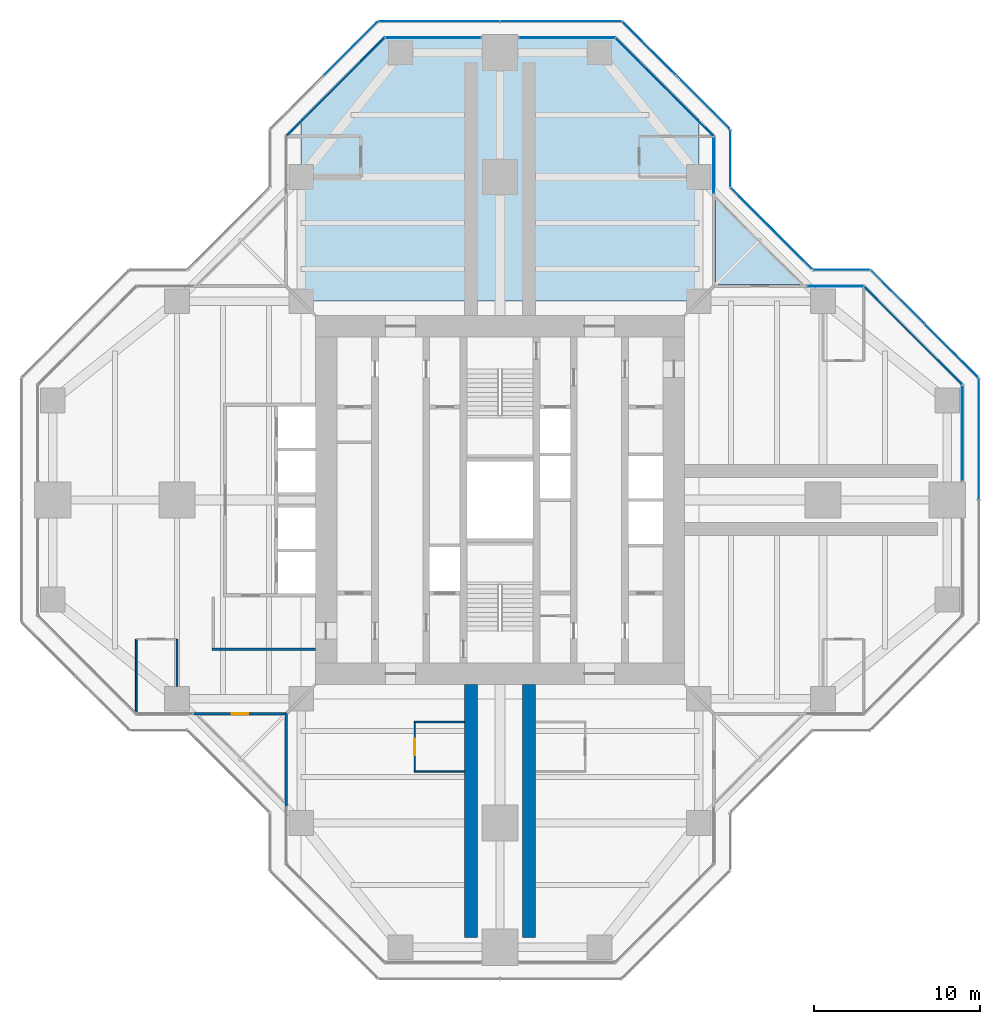
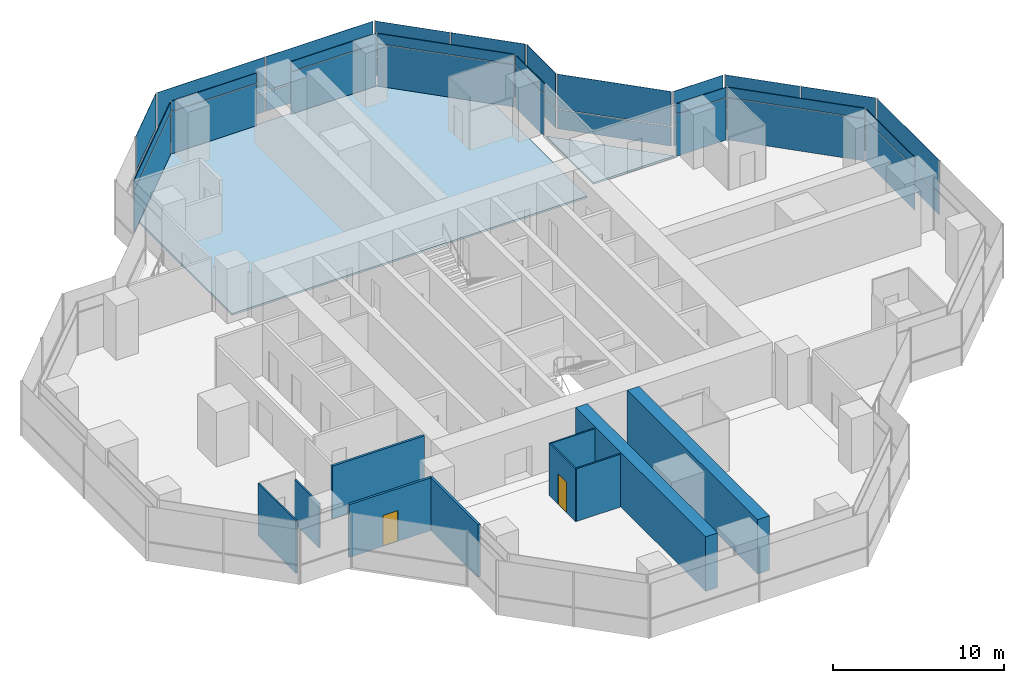
# One storey, part 12 of 17: 38 plates, 10 walls, 2 doors, 2 slabs, 2 openings, 16 elements without a shape of their own.
"""IFC4 building model written with IfcOpenShell, lengths in metres."""

import ifcopenshell
import ifcopenshell.guid

model = None  # the IFC model being written
_history = None  # IfcOwnerHistory: only IFC2X3 demands one
_inside = {}  # id of a spatial element -> (the spatial element, [elements in it])
_under = {}  # id of a project, library or spatial element -> (it, [spatial elements below it])
_declared = {}  # id of a project -> (the project, [libraries it declares])
_typed = {}  # id of a type object -> (the type object, [elements of that type])
_made_of = {}  # id of a material, layer set ... -> (it, [elements and type objects made of it])


def new_model(schema):
    """Start an empty IFC model of exactly this schema.

    Asked for "IFC4X3", IfcOpenShell would pick the latest addendum, in which some entities
    have other attributes; the version numbers below select the first issue.
    IFC2X3 requires an IfcOwnerHistory on every rooted entity: one is made here for all.
    """
    global model, _history
    if schema == "IFC4X3":
        model = ifcopenshell.file(schema_version=(4, 3, 0, 0))
    else:
        model = ifcopenshell.file(schema=schema)
    _inside.clear()
    _under.clear()
    _declared.clear()
    _typed.clear()
    _made_of.clear()
    _history = None
    if model.schema == "IFC2X3":
        org = make("IfcOrganization", Name="unknown")
        user = make(
            "IfcPersonAndOrganization",
            ThePerson=make("IfcPerson", FamilyName="unknown"),
            TheOrganization=org,
        )
        app = make(
            "IfcApplication",
            ApplicationDeveloper=org,
            Version="unknown",
            ApplicationFullName="unknown",
            ApplicationIdentifier="unknown",
        )
        _history = make(
            "IfcOwnerHistory",
            OwningUser=user,
            OwningApplication=app,
            ChangeAction="ADDED",
            CreationDate=0,
        )
    return model


def make(cls, **values):
    """One entity of the class cls with the attributes given. An attribute that is None is left unset."""
    return model.create_entity(
        cls, **{name: value for name, value in values.items() if value is not None}
    )


def rooted(cls, **values):
    """An entity with a GlobalId (a new one), such as an element, a storey or a relation."""
    return make(cls, GlobalId=ifcopenshell.guid.new(), OwnerHistory=_history, **values)


def si_unit(unit_type, name, prefix=None):
    """IfcSIUnit, for example si_unit("LENGTHUNIT", "METRE", prefix="MILLI")."""
    return make("IfcSIUnit", UnitType=unit_type, Prefix=prefix, Name=name)


def assignment(units):
    """IfcUnitAssignment: the units of a project."""
    return None if units is None else make("IfcUnitAssignment", Units=units)


def point(xyz):
    """IfcCartesianPoint."""
    return None if xyz is None else make("IfcCartesianPoint", Coordinates=xyz)


def direction(xyz):
    """IfcDirection."""
    return None if xyz is None else make("IfcDirection", DirectionRatios=xyz)


def frame(location, z_axis=None, x_axis=None):
    """IfcAxis2Placement3D, a coordinate frame: its origin and axes. An axis left out is left unset."""
    return make(
        "IfcAxis2Placement3D",
        Location=point(location),
        Axis=direction(z_axis),
        RefDirection=direction(x_axis),
    )


def frame_2d(location, x_axis=None):
    """IfcAxis2Placement2D, a coordinate frame in the plane: its origin and x axis."""
    return make(
        "IfcAxis2Placement2D", Location=point(location), RefDirection=direction(x_axis)
    )


def origin():
    """The frame at (0, 0, 0) with its axes left unset."""
    return frame((0.0, 0.0, 0.0))


def origin_2d():
    """The frame at (0, 0) in the plane with its x axis left unset."""
    return frame_2d((0.0, 0.0))


def place(relative_to, where):
    """IfcLocalPlacement: puts the frame where relative to a parent placement (None: the world)."""
    return make(
        "IfcLocalPlacement", PlacementRelTo=relative_to, RelativePlacement=where
    )


def context(
    kind, dimensions, precision=None, world=None, true_north=None, identifier=None
):
    """IfcGeometricRepresentationContext, for example the 3D "Model" context."""
    return make(
        "IfcGeometricRepresentationContext",
        ContextIdentifier=identifier,
        ContextType=kind,
        CoordinateSpaceDimension=dimensions,
        Precision=precision,
        WorldCoordinateSystem=world,
        TrueNorth=true_north,
    )


def subcontext(parent, identifier, kind, view, scale=None):
    """IfcGeometricRepresentationSubContext, for example "Body" below "Model"."""
    return make(
        "IfcGeometricRepresentationSubContext",
        ContextIdentifier=identifier,
        ContextType=kind,
        ParentContext=parent,
        TargetScale=scale,
        TargetView=view,
    )


def project(units=None, contexts=None):
    """IfcProject with its units and contexts."""
    return rooted(
        "IfcProject",
        Name="project",
        RepresentationContexts=contexts,
        UnitsInContext=assignment(units),
    )


def spatial(cls, under=None, at=None, **own):
    """A site, building, storey or space (cls), placed at a placement, below another one or the project."""
    s = rooted(cls, ObjectPlacement=at, **own)
    if under is not None:
        _under.setdefault(under.id(), (under, []))[1].append(s)
    return s


def polyline(points):
    """IfcPolyline through the points."""
    return make("IfcPolyline", Points=[point(p) for p in points])


def profile(cls, at=None, kind="AREA", **sizes):
    """A parametric profile (cls). Its sizes go by their IFC names, for example OverallWidth=200.0."""
    return make(cls, ProfileType=kind, Position=at, **sizes)


def rectangle(**sizes):
    """IfcRectangleProfileDef."""
    return profile("IfcRectangleProfileDef", **sizes)


def outline(outer, holes=None, kind="AREA"):
    """IfcArbitraryClosedProfileDef: a profile drawn as a closed curve; with holes, ...WithVoids."""
    if holes is None:
        return make("IfcArbitraryClosedProfileDef", ProfileType=kind, OuterCurve=outer)
    return make(
        "IfcArbitraryProfileDefWithVoids",
        ProfileType=kind,
        OuterCurve=outer,
        InnerCurves=holes,
    )


def extrude(swept, where, along, depth):
    """IfcExtrudedAreaSolid: the profile swept, set in the frame where, extruded along a direction by depth."""
    return make(
        "IfcExtrudedAreaSolid",
        SweptArea=swept,
        Position=where,
        ExtrudedDirection=direction(along),
        Depth=depth,
    )


def shape(context_of_items, identifier, shape_type, items):
    """IfcShapeRepresentation: the items that make up one representation, for example the "Body"."""
    return make(
        "IfcShapeRepresentation",
        ContextOfItems=context_of_items,
        RepresentationIdentifier=identifier,
        RepresentationType=shape_type,
        Items=items,
    )


def material(Name=None, Category=None):
    """IfcMaterial."""
    return make("IfcMaterial", Name=Name, Category=Category)


def layer(
    of_material, thickness, ventilated=None, Name=None, Category=None, Priority=None
):
    """IfcMaterialLayer: one layer of a wall or slab, of a material (None: an air gap)."""
    return make(
        "IfcMaterialLayer",
        Material=of_material,
        LayerThickness=thickness,
        IsVentilated=ventilated,
        Name=Name,
        Category=Category,
        Priority=Priority,
    )


def layer_set(layers, Name=None):
    """IfcMaterialLayerSet."""
    return make("IfcMaterialLayerSet", MaterialLayers=layers, LayerSetName=Name)


def made_of(thing, what):
    """Note that an element or type object is made of a material, layer set ...; save() writes the relation."""
    if what is not None:
        _made_of.setdefault(what.id(), (what, []))[1].append(thing)
    return thing


def type_object(cls, material=None, **own):
    """A type object (cls), such as IfcWallType, which elements share."""
    return made_of(rooted(cls, **own), material)


def element(
    cls,
    number,
    at=None,
    inside=None,
    cuts=None,
    type_object=None,
    material=None,
    context=None,
    identifier="Body",
    shape_type=None,
    held_by="IfcProductDefinitionShape",
    body=None,
    shapes=None,
    **own,
):
    """One element of the class cls, such as IfcWall. Its Tag is "e" and its number.

    at: its placement. inside: the storey or other place that contains it. cuts: it is an
    opening in that element (IfcRelVoidsElement). A single representation is given by context,
    identifier, shape_type and body (its items); several are given by shapes. held_by: the class
    of the entity that holds the representations. save() writes the other relations.
    """
    e = rooted(cls, Tag="e%d" % number, ObjectPlacement=at, **own)
    if body is not None:
        shapes = [shape(context, identifier, shape_type, body)]
    if shapes is not None:
        e.Representation = make(held_by, Representations=shapes)
    if inside is not None:
        _inside.setdefault(inside.id(), (inside, []))[1].append(e)
    if cuts is not None:
        rooted(
            "IfcRelVoidsElement", RelatingBuildingElement=cuts, RelatedOpeningElement=e
        )
    if type_object is not None:
        _typed.setdefault(type_object.id(), (type_object, []))[1].append(e)
    return made_of(e, material)


def fill(opening, filler):
    """IfcRelFillsElement: the door or window that sits in an opening."""
    return rooted(
        "IfcRelFillsElement",
        RelatingOpeningElement=opening,
        RelatedBuildingElement=filler,
    )


def aggregate(whole, parts):
    """IfcRelAggregates: a whole, such as a stair, and the parts it consists of."""
    return rooted("IfcRelAggregates", RelatingObject=whole, RelatedObjects=parts)


def save(model, path):
    """Write the relations noted so far, then the file.

    IfcRelAggregates (storeys below a building ...), IfcRelContainedInSpatialStructure (elements
    in a storey), IfcRelDefinesByType, IfcRelAssociatesMaterial and IfcRelDeclares: one each for
    every whole, place, type object, material and project.
    """
    for whole, parts in _under.values():
        aggregate(whole, parts)
    for where, things in _inside.values():
        rooted(
            "IfcRelContainedInSpatialStructure",
            RelatedElements=things,
            RelatingStructure=where,
        )
    for kind, things in _typed.values():
        rooted("IfcRelDefinesByType", RelatedObjects=things, RelatingType=kind)
    for what, things in _made_of.values():
        rooted("IfcRelAssociatesMaterial", RelatedObjects=things, RelatingMaterial=what)
    for by, libraries in _declared.values():
        rooted("IfcRelDeclares", RelatingContext=by, RelatedDefinitions=libraries)
    model.write(path)


model = new_model("IFC4")

# Units and contexts
model_context = context("Model", 3, precision=1e-05, world=origin(), true_north=direction((0.0, 1.0)))
body_context = subcontext(model_context, "Body", "Model", "MODEL_VIEW")
ifc_project = project(units=[si_unit("LENGTHUNIT", "METRE"), si_unit("AREAUNIT", "SQUARE_METRE"), si_unit("VOLUMEUNIT", "CUBIC_METRE"), si_unit("PLANEANGLEUNIT", "RADIAN"), si_unit("MASSUNIT", "GRAM", prefix="KILO")], contexts=[model_context])

# Site, building, storey
site_placement = place(None, origin())
site = spatial("IfcSite", under=ifc_project, at=site_placement, CompositionType="ELEMENT")
building_placement = place(site_placement, origin())
building = spatial("IfcBuilding", under=site, at=building_placement, Name="Mizan Broadcast Tower", CompositionType="ELEMENT")
storey_placement = place(building_placement, frame((0.0, 0.0, 251.699951171875)))
storey = spatial("IfcBuildingStorey", under=building, at=storey_placement, Name="L59", CompositionType="ELEMENT", Elevation=251.699951171875)

# Slab
ifc_material_1 = material(Name="Concrete C32/40", Category="concrete")
ifc_layer_1 = layer(ifc_material_1, 0.1298828125)
ifc_layer_set_1 = layer_set([ifc_layer_1], Name="Concrete C32/40")
slab_type_1 = type_object("IfcSlabType", Name="COMPOSITE DECK SLAB 130", PredefinedType="FLOOR", material=ifc_layer_set_1)
slab_1_placement = place(storey_placement, frame((0.0, 0.0, -0.1298828125)))
element("IfcSlab", 1, at=slab_1_placement, inside=storey, type_object=slab_type_1, Name="Floor slab L59 north arm", PredefinedType="FLOOR", context=body_context, shape_type="SweptSolid", body=[
    extrude(outline(polyline([(-7.0, 28.0), (-12.0, 23.0), (-12.0, 12.0), (12.0, 12.0), (12.0, 23.0), (7.0, 28.0), (-7.0, 28.0)])), origin(), (0.0, 0.0, 1.0), 0.1298828125),
])

# Curtain wall, plate
ifc_material_2 = material(Name="Aluminium framed glazing", Category="aluminium")
curtain_wall_type_1 = type_object("IfcCurtainWallType", Name="INNER SKIN HIGH ZONE", PredefinedType="USERDEFINED", material=ifc_material_2)
curtain_wall_1_placement = place(storey_placement, origin())
curtain_wall_1 = element("IfcCurtainWall", 2, at=curtain_wall_1_placement, inside=storey, type_object=curtain_wall_type_1, Name="Inner skin high zone L59 E end", ObjectType="INNER SKIN HIGH ZONE", PredefinedType="USERDEFINED")
ifc_material_3 = material(Name="Double glazing, clear low-e", Category="glass")
ifc_layer_2 = layer(ifc_material_3, 0.028076171875)
ifc_layer_set_2 = layer_set([ifc_layer_2], Name="Double glazing, clear low-e")
plate_type_1 = type_object("IfcPlateType", Name="INNER SKIN GLAZING UNIT", PredefinedType="CURTAIN_PANEL", material=ifc_layer_set_2)
plate_1_placement = place(storey_placement, frame((27.89990234375, 4.029296875, 0.0), z_axis=(0.0, 0.0, 1.0), x_axis=(0.0, 1.0, 0.0)))
plate_1 = element("IfcPlate", 3, at=plate_1_placement, type_object=plate_type_1, Name="Inner skin high zone L59 E end panel 1.1", PredefinedType="CURTAIN_PANEL", context=body_context, shape_type="SweptSolid", body=[
    extrude(rectangle(XDim=5.738525390625, YDim=0.028076171875, at=origin_2d()), origin(), (0.0, 0.0, 1.0), 3.0),
])

curtain_wall_2_placement = place(storey_placement, origin())
curtain_wall_2 = element("IfcCurtainWall", 4, at=curtain_wall_2_placement, inside=storey, type_object=curtain_wall_type_1, Name="Inner skin high zone L59 E chamfer", ObjectType="INNER SKIN HIGH ZONE", PredefinedType="USERDEFINED")
plate_2_placement = place(storey_placement, frame((24.92919921875, 9.92919921875, 0.0), z_axis=(0.0, 0.0, 1.0), x_axis=(-0.707106781187, 0.707106781187, 0.0)))
plate_2 = element("IfcPlate", 5, at=plate_2_placement, type_object=plate_type_1, Name="Inner skin high zone L59 E chamfer panel 1.1", PredefinedType="CURTAIN_PANEL", context=body_context, shape_type="SweptSolid", body=[
    extrude(rectangle(XDim=8.282470703125, YDim=0.028076171875, at=origin_2d()), origin(), (0.0, 0.0, 1.0), 3.0),
])

curtain_wall_3_placement = place(storey_placement, origin())
curtain_wall_3 = element("IfcCurtainWall", 6, at=curtain_wall_3_placement, inside=storey, type_object=curtain_wall_type_1, Name="Inner skin high zone L59 E side", ObjectType="INNER SKIN HIGH ZONE", PredefinedType="USERDEFINED")
plate_3_placement = place(storey_placement, frame((20.229248046875, 12.89990234375, 0.0), z_axis=(0.0, 0.0, 1.0), x_axis=(-1.0, 0.0, 0.0)))
plate_3 = element("IfcPlate", 7, at=plate_3_placement, type_object=plate_type_1, Name="Inner skin high zone L59 E side panel 1.1", PredefinedType="CURTAIN_PANEL", context=body_context, shape_type="SweptSolid", body=[
    extrude(rectangle(XDim=3.338623046875, YDim=0.028076171875, at=origin_2d()), origin(), (0.0, 0.0, 1.0), 3.0),
])

curtain_wall_4_placement = place(storey_placement, origin())
curtain_wall_4 = element("IfcCurtainWall", 8, at=curtain_wall_4_placement, inside=storey, type_object=curtain_wall_type_1, Name="Inner skin high zone L59 N side", ObjectType="INNER SKIN HIGH ZONE", PredefinedType="USERDEFINED")
plate_4_placement = place(storey_placement, frame((12.89990234375, 20.229248046875, 0.0), z_axis=(0.0, 0.0, 1.0), x_axis=(0.0, 1.0, 0.0)))
plate_4 = element("IfcPlate", 9, at=plate_4_placement, type_object=plate_type_1, Name="Inner skin high zone L59 N side panel 1.1", PredefinedType="CURTAIN_PANEL", context=body_context, shape_type="SweptSolid", body=[
    extrude(rectangle(XDim=3.338623046875, YDim=0.028076171875, at=origin_2d()), origin(), (0.0, 0.0, 1.0), 3.0),
])

curtain_wall_5_placement = place(storey_placement, origin())
curtain_wall_5 = element("IfcCurtainWall", 10, at=curtain_wall_5_placement, inside=storey, type_object=curtain_wall_type_1, Name="Inner skin high zone L59 N chamfer", ObjectType="INNER SKIN HIGH ZONE", PredefinedType="USERDEFINED")
plate_5_placement = place(storey_placement, frame((9.92919921875, 24.92919921875, 0.0), z_axis=(0.0, 0.0, 1.0), x_axis=(-0.707106781187, 0.707106781187, 0.0)))
plate_5 = element("IfcPlate", 11, at=plate_5_placement, type_object=plate_type_1, Name="Inner skin high zone L59 N chamfer panel 1.1", PredefinedType="CURTAIN_PANEL", context=body_context, shape_type="SweptSolid", body=[
    extrude(rectangle(XDim=8.282470703125, YDim=0.028076171875, at=origin_2d()), origin(), (0.0, 0.0, 1.0), 3.0),
])

curtain_wall_6_placement = place(storey_placement, origin())
curtain_wall_6 = element("IfcCurtainWall", 12, at=curtain_wall_6_placement, inside=storey, type_object=curtain_wall_type_1, Name="Inner skin high zone L59 N end", ObjectType="INNER SKIN HIGH ZONE", PredefinedType="USERDEFINED")
plate_6_placement = place(storey_placement, frame((4.029296875, 27.89990234375, 0.0), z_axis=(0.0, 0.0, 1.0), x_axis=(-1.0, 0.0, 0.0)))
plate_6 = element("IfcPlate", 13, at=plate_6_placement, type_object=plate_type_1, Name="Inner skin high zone L59 N end panel 1.1", PredefinedType="CURTAIN_PANEL", context=body_context, shape_type="SweptSolid", body=[
    extrude(rectangle(XDim=5.738525390625, YDim=0.028076171875, at=origin_2d()), origin(), (0.0, 0.0, 1.0), 3.0),
])

curtain_wall_7_placement = place(storey_placement, origin())
curtain_wall_7 = element("IfcCurtainWall", 14, at=curtain_wall_7_placement, inside=storey, type_object=curtain_wall_type_1, Name="Inner skin high zone L59 N end", ObjectType="INNER SKIN HIGH ZONE", PredefinedType="USERDEFINED")
plate_7_placement = place(storey_placement, frame((-4.029296875, 27.89990234375, 0.0), z_axis=(0.0, 0.0, 1.0), x_axis=(-1.0, 0.0, 0.0)))
plate_7 = element("IfcPlate", 15, at=plate_7_placement, type_object=plate_type_1, Name="Inner skin high zone L59 N end panel 1.1", PredefinedType="CURTAIN_PANEL", context=body_context, shape_type="SweptSolid", body=[
    extrude(rectangle(XDim=5.738525390625, YDim=0.028076171875, at=origin_2d()), origin(), (0.0, 0.0, 1.0), 3.0),
])

curtain_wall_8_placement = place(storey_placement, origin())
curtain_wall_8 = element("IfcCurtainWall", 16, at=curtain_wall_8_placement, inside=storey, type_object=curtain_wall_type_1, Name="Inner skin high zone L59 N chamfer", ObjectType="INNER SKIN HIGH ZONE", PredefinedType="USERDEFINED")
plate_8_placement = place(storey_placement, frame((-9.92919921875, 24.92919921875, 0.0), z_axis=(0.0, 0.0, 1.0), x_axis=(-0.707106781187, -0.707106781187, 0.0)))
plate_8 = element("IfcPlate", 17, at=plate_8_placement, type_object=plate_type_1, Name="Inner skin high zone L59 N chamfer panel 1.1", PredefinedType="CURTAIN_PANEL", context=body_context, shape_type="SweptSolid", body=[
    extrude(rectangle(XDim=8.282470703125, YDim=0.028076171875, at=origin_2d()), origin(), (0.0, 0.0, 1.0), 3.0),
])

# Plate
ifc_material_4 = material(Name="Insulated aluminium spandrel panel, pale anodised", Category="aluminium")
ifc_layer_3 = layer(ifc_material_4, 0.050048828125)
ifc_layer_set_3 = layer_set([ifc_layer_3], Name="Insulated aluminium spandrel panel, pale anodised")
plate_type_2 = type_object("IfcPlateType", Name="INNER SKIN SPANDREL PANEL", PredefinedType="CURTAIN_PANEL", material=ifc_layer_set_3)
plate_9_placement = place(storey_placement, frame((27.89990234375, 4.029296875, 3.06005859375), z_axis=(0.0, 0.0, 1.0), x_axis=(0.0, 1.0, 0.0)))
plate_9 = element("IfcPlate", 18, at=plate_9_placement, type_object=plate_type_2, Name="Inner skin high zone L59 E end panel 1.2", PredefinedType="CURTAIN_PANEL", context=body_context, shape_type="SweptSolid", body=[
    extrude(rectangle(XDim=5.738525390625, YDim=0.050048828125, at=origin_2d()), origin(), (0.0, 0.0, 1.0), 0.7099609375),
])

aggregate(curtain_wall_1, [plate_1, plate_9])

plate_10_placement = place(storey_placement, frame((24.92919921875, 9.92919921875, 3.06005859375), z_axis=(0.0, 0.0, 1.0), x_axis=(-0.707106781187, 0.707106781187, 0.0)))
plate_10 = element("IfcPlate", 19, at=plate_10_placement, type_object=plate_type_2, Name="Inner skin high zone L59 E chamfer panel 1.2", PredefinedType="CURTAIN_PANEL", context=body_context, shape_type="SweptSolid", body=[
    extrude(rectangle(XDim=8.282470703125, YDim=0.050048828125, at=origin_2d()), origin(), (0.0, 0.0, 1.0), 0.7099609375),
])

aggregate(curtain_wall_2, [plate_2, plate_10])

plate_11_placement = place(storey_placement, frame((20.229248046875, 12.89990234375, 3.06005859375), z_axis=(0.0, 0.0, 1.0), x_axis=(-1.0, 0.0, 0.0)))
plate_11 = element("IfcPlate", 20, at=plate_11_placement, type_object=plate_type_2, Name="Inner skin high zone L59 E side panel 1.2", PredefinedType="CURTAIN_PANEL", context=body_context, shape_type="SweptSolid", body=[
    extrude(rectangle(XDim=3.338623046875, YDim=0.050048828125, at=origin_2d()), origin(), (0.0, 0.0, 1.0), 0.7099609375),
])

aggregate(curtain_wall_3, [plate_3, plate_11])

plate_12_placement = place(storey_placement, frame((12.89990234375, 20.229248046875, 3.06005859375), z_axis=(0.0, 0.0, 1.0), x_axis=(0.0, 1.0, 0.0)))
plate_12 = element("IfcPlate", 21, at=plate_12_placement, type_object=plate_type_2, Name="Inner skin high zone L59 N side panel 1.2", PredefinedType="CURTAIN_PANEL", context=body_context, shape_type="SweptSolid", body=[
    extrude(rectangle(XDim=3.338623046875, YDim=0.050048828125, at=origin_2d()), origin(), (0.0, 0.0, 1.0), 0.7099609375),
])

aggregate(curtain_wall_4, [plate_4, plate_12])

plate_13_placement = place(storey_placement, frame((9.92919921875, 24.92919921875, 3.06005859375), z_axis=(0.0, 0.0, 1.0), x_axis=(-0.707106781187, 0.707106781187, 0.0)))
plate_13 = element("IfcPlate", 22, at=plate_13_placement, type_object=plate_type_2, Name="Inner skin high zone L59 N chamfer panel 1.2", PredefinedType="CURTAIN_PANEL", context=body_context, shape_type="SweptSolid", body=[
    extrude(rectangle(XDim=8.282470703125, YDim=0.050048828125, at=origin_2d()), origin(), (0.0, 0.0, 1.0), 0.7099609375),
])

aggregate(curtain_wall_5, [plate_5, plate_13])

plate_14_placement = place(storey_placement, frame((4.029296875, 27.89990234375, 3.06005859375), z_axis=(0.0, 0.0, 1.0), x_axis=(-1.0, 0.0, 0.0)))
plate_14 = element("IfcPlate", 23, at=plate_14_placement, type_object=plate_type_2, Name="Inner skin high zone L59 N end panel 1.2", PredefinedType="CURTAIN_PANEL", context=body_context, shape_type="SweptSolid", body=[
    extrude(rectangle(XDim=5.738525390625, YDim=0.050048828125, at=origin_2d()), origin(), (0.0, 0.0, 1.0), 0.7099609375),
])

aggregate(curtain_wall_6, [plate_6, plate_14])

plate_15_placement = place(storey_placement, frame((-4.029296875, 27.89990234375, 3.06005859375), z_axis=(0.0, 0.0, 1.0), x_axis=(-1.0, 0.0, 0.0)))
plate_15 = element("IfcPlate", 24, at=plate_15_placement, type_object=plate_type_2, Name="Inner skin high zone L59 N end panel 1.2", PredefinedType="CURTAIN_PANEL", context=body_context, shape_type="SweptSolid", body=[
    extrude(rectangle(XDim=5.738525390625, YDim=0.050048828125, at=origin_2d()), origin(), (0.0, 0.0, 1.0), 0.7099609375),
])

aggregate(curtain_wall_7, [plate_7, plate_15])

plate_16_placement = place(storey_placement, frame((-9.92919921875, 24.92919921875, 3.06005859375), z_axis=(0.0, 0.0, 1.0), x_axis=(-0.707106781187, -0.707106781187, 0.0)))
plate_16 = element("IfcPlate", 25, at=plate_16_placement, type_object=plate_type_2, Name="Inner skin high zone L59 N chamfer panel 1.2", PredefinedType="CURTAIN_PANEL", context=body_context, shape_type="SweptSolid", body=[
    extrude(rectangle(XDim=8.282470703125, YDim=0.050048828125, at=origin_2d()), origin(), (0.0, 0.0, 1.0), 0.7099609375),
])

aggregate(curtain_wall_8, [plate_8, plate_16])

# Curtain wall, plates
ifc_material_5 = material(Name="Aluminium framed glazing", Category="aluminium")
curtain_wall_type_2 = type_object("IfcCurtainWallType", Name="OUTER SKIN", PredefinedType="USERDEFINED", material=ifc_material_5)
curtain_wall_9_placement = place(storey_placement, origin())
curtain_wall_9 = element("IfcCurtainWall", 26, at=curtain_wall_9_placement, inside=storey, type_object=curtain_wall_type_2, Name="Outer skin L59 E chamfer", ObjectType="OUTER SKIN", PredefinedType="USERDEFINED")
ifc_material_6 = material(Name="Laminated clear glass", Category="glass")
ifc_layer_4 = layer(ifc_material_6, 0.02001953125)
ifc_layer_set_4 = layer_set([ifc_layer_4], Name="Laminated clear glass")
plate_type_3 = type_object("IfcPlateType", Name="OUTER SKIN CLEAR GLASS", PredefinedType="CURTAIN_PANEL", material=ifc_layer_set_4)
plate_17_placement = place(storey_placement, frame((27.254150390625, 9.018798828125, 0.0), z_axis=(0.0, 0.0, 1.0), x_axis=(-0.707106781187, 0.707106781187, 0.0)))
plate_17 = element("IfcPlate", 27, at=plate_17_placement, type_object=plate_type_3, Name="Outer skin L59 E chamfer panel 1.1", PredefinedType="CURTAIN_PANEL", context=body_context, shape_type="SweptSolid", body=[
    extrude(rectangle(XDim=4.495361328125, YDim=0.02001953125, at=origin_2d()), origin(), (0.0, 0.0, 1.0), 1.3701171875),
])
plate_18_placement = place(storey_placement, frame((27.254150390625, 9.018798828125, 1.43017578125), z_axis=(0.0, 0.0, 1.0), x_axis=(-0.707106781187, 0.707106781187, 0.0)))
plate_18 = element("IfcPlate", 28, at=plate_18_placement, type_object=plate_type_3, Name="Outer skin L59 E chamfer panel 1.2", PredefinedType="CURTAIN_PANEL", context=body_context, shape_type="SweptSolid", body=[
    extrude(rectangle(XDim=4.495361328125, YDim=0.02001953125, at=origin_2d()), origin(), (0.0, 0.0, 1.0), 2.469970703125),
])

curtain_wall_10_placement = place(storey_placement, origin())
curtain_wall_10 = element("IfcCurtainWall", 29, at=curtain_wall_10_placement, inside=storey, type_object=curtain_wall_type_2, Name="Outer skin L59 E side", ObjectType="OUTER SKIN", PredefinedType="USERDEFINED")
plate_19_placement = place(storey_placement, frame((20.622802734375, 13.89990234375, 0.0), z_axis=(0.0, 0.0, 1.0), x_axis=(-1.0, 0.0, 0.0)))
plate_19 = element("IfcPlate", 30, at=plate_19_placement, type_object=plate_type_3, Name="Outer skin L59 E side panel 1.1", PredefinedType="CURTAIN_PANEL", context=body_context, shape_type="SweptSolid", body=[
    extrude(rectangle(XDim=3.340087890625, YDim=0.02001953125, at=origin_2d()), origin(), (0.0, 0.0, 1.0), 1.3701171875),
])
plate_20_placement = place(storey_placement, frame((20.622802734375, 13.89990234375, 1.43017578125), z_axis=(0.0, 0.0, 1.0), x_axis=(-1.0, 0.0, 0.0)))
plate_20 = element("IfcPlate", 31, at=plate_20_placement, type_object=plate_type_3, Name="Outer skin L59 E side panel 1.2", PredefinedType="CURTAIN_PANEL", context=body_context, shape_type="SweptSolid", body=[
    extrude(rectangle(XDim=3.340087890625, YDim=0.02001953125, at=origin_2d()), origin(), (0.0, 0.0, 1.0), 2.469970703125),
])
aggregate(curtain_wall_10, [plate_19, plate_20])

curtain_wall_11_placement = place(storey_placement, origin())
curtain_wall_11 = element("IfcCurtainWall", 32, at=curtain_wall_11_placement, inside=storey, type_object=curtain_wall_type_2, Name="Outer skin L59 E chamfer", ObjectType="OUTER SKIN", PredefinedType="USERDEFINED")
plate_21_placement = place(storey_placement, frame((16.386474609375, 16.386474609375, 0.0), z_axis=(0.0, 0.0, 1.0), x_axis=(-0.707106781187, 0.707106781187, 0.0)))
plate_21 = element("IfcPlate", 33, at=plate_21_placement, type_object=plate_type_3, Name="Outer skin L59 E chamfer panel 1.1", PredefinedType="CURTAIN_PANEL", context=body_context, shape_type="SweptSolid", body=[
    extrude(rectangle(XDim=6.87255859375, YDim=0.02001953125, at=origin_2d()), origin(), (0.0, 0.0, 1.0), 1.3701171875),
])
plate_22_placement = place(storey_placement, frame((16.386474609375, 16.386474609375, 1.43017578125), z_axis=(0.0, 0.0, 1.0), x_axis=(-0.707106781187, 0.707106781187, 0.0)))
plate_22 = element("IfcPlate", 34, at=plate_22_placement, type_object=plate_type_3, Name="Outer skin L59 E chamfer panel 1.2", PredefinedType="CURTAIN_PANEL", context=body_context, shape_type="SweptSolid", body=[
    extrude(rectangle(XDim=6.87255859375, YDim=0.02001953125, at=origin_2d()), origin(), (0.0, 0.0, 1.0), 2.469970703125),
])
aggregate(curtain_wall_11, [plate_21, plate_22])

curtain_wall_12_placement = place(storey_placement, origin())
curtain_wall_12 = element("IfcCurtainWall", 35, at=curtain_wall_12_placement, inside=storey, type_object=curtain_wall_type_2, Name="Outer skin L59 N side", ObjectType="OUTER SKIN", PredefinedType="USERDEFINED")
plate_23_placement = place(storey_placement, frame((13.89990234375, 20.622802734375, 0.0), z_axis=(0.0, 0.0, 1.0), x_axis=(0.0, 1.0, 0.0)))
plate_23 = element("IfcPlate", 36, at=plate_23_placement, type_object=plate_type_3, Name="Outer skin L59 N side panel 1.1", PredefinedType="CURTAIN_PANEL", context=body_context, shape_type="SweptSolid", body=[
    extrude(rectangle(XDim=3.340087890625, YDim=0.02001953125, at=origin_2d()), origin(), (0.0, 0.0, 1.0), 1.3701171875),
])
plate_24_placement = place(storey_placement, frame((13.89990234375, 20.622802734375, 1.43017578125), z_axis=(0.0, 0.0, 1.0), x_axis=(0.0, 1.0, 0.0)))
plate_24 = element("IfcPlate", 37, at=plate_24_placement, type_object=plate_type_3, Name="Outer skin L59 N side panel 1.2", PredefinedType="CURTAIN_PANEL", context=body_context, shape_type="SweptSolid", body=[
    extrude(rectangle(XDim=3.340087890625, YDim=0.02001953125, at=origin_2d()), origin(), (0.0, 0.0, 1.0), 2.469970703125),
])
aggregate(curtain_wall_12, [plate_23, plate_24])

curtain_wall_13_placement = place(storey_placement, origin())
curtain_wall_13 = element("IfcCurtainWall", 38, at=curtain_wall_13_placement, inside=storey, type_object=curtain_wall_type_2, Name="Outer skin L59 N chamfer", ObjectType="OUTER SKIN", PredefinedType="USERDEFINED")
plate_25_placement = place(storey_placement, frame((12.254150390625, 24.018798828125, 0.0), z_axis=(0.0, 0.0, 1.0), x_axis=(-0.707106781187, 0.707106781187, 0.0)))
plate_25 = element("IfcPlate", 39, at=plate_25_placement, type_object=plate_type_3, Name="Outer skin L59 N chamfer panel 1.1", PredefinedType="CURTAIN_PANEL", context=body_context, shape_type="SweptSolid", body=[
    extrude(rectangle(XDim=4.495361328125, YDim=0.02001953125, at=origin_2d()), origin(), (0.0, 0.0, 1.0), 1.3701171875),
])
plate_26_placement = place(storey_placement, frame((12.254150390625, 24.018798828125, 1.43017578125), z_axis=(0.0, 0.0, 1.0), x_axis=(-0.707106781187, 0.707106781187, 0.0)))
plate_26 = element("IfcPlate", 40, at=plate_26_placement, type_object=plate_type_3, Name="Outer skin L59 N chamfer panel 1.2", PredefinedType="CURTAIN_PANEL", context=body_context, shape_type="SweptSolid", body=[
    extrude(rectangle(XDim=4.495361328125, YDim=0.02001953125, at=origin_2d()), origin(), (0.0, 0.0, 1.0), 2.469970703125),
])

curtain_wall_14_placement = place(storey_placement, origin())
curtain_wall_14 = element("IfcCurtainWall", 41, at=curtain_wall_14_placement, inside=storey, type_object=curtain_wall_type_2, Name="Outer skin L59 N end", ObjectType="OUTER SKIN", PredefinedType="USERDEFINED")
plate_27_placement = place(storey_placement, frame((3.66650390625, 28.89990234375, 0.0), z_axis=(0.0, 0.0, 1.0), x_axis=(-1.0, 0.0, 0.0)))
plate_27 = element("IfcPlate", 42, at=plate_27_placement, type_object=plate_type_3, Name="Outer skin L59 N end panel 1.1", PredefinedType="CURTAIN_PANEL", context=body_context, shape_type="SweptSolid", body=[
    extrude(rectangle(XDim=7.252685546875, YDim=0.02001953125, at=origin_2d()), origin(), (0.0, 0.0, 1.0), 1.3701171875),
])
plate_28_placement = place(storey_placement, frame((3.66650390625, 28.89990234375, 1.43017578125), z_axis=(0.0, 0.0, 1.0), x_axis=(-1.0, 0.0, 0.0)))
plate_28 = element("IfcPlate", 43, at=plate_28_placement, type_object=plate_type_3, Name="Outer skin L59 N end panel 1.2", PredefinedType="CURTAIN_PANEL", context=body_context, shape_type="SweptSolid", body=[
    extrude(rectangle(XDim=7.252685546875, YDim=0.02001953125, at=origin_2d()), origin(), (0.0, 0.0, 1.0), 2.469970703125),
])
plate_29_placement = place(storey_placement, frame((-3.66650390625, 28.89990234375, 0.0), z_axis=(0.0, 0.0, 1.0), x_axis=(-1.0, 0.0, 0.0)))
plate_29 = element("IfcPlate", 44, at=plate_29_placement, type_object=plate_type_3, Name="Outer skin L59 N end panel 2.1", PredefinedType="CURTAIN_PANEL", context=body_context, shape_type="SweptSolid", body=[
    extrude(rectangle(XDim=7.252685546875, YDim=0.02001953125, at=origin_2d()), origin(), (0.0, 0.0, 1.0), 1.3701171875),
])
plate_30_placement = place(storey_placement, frame((-3.66650390625, 28.89990234375, 1.43017578125), z_axis=(0.0, 0.0, 1.0), x_axis=(-1.0, 0.0, 0.0)))
plate_30 = element("IfcPlate", 45, at=plate_30_placement, type_object=plate_type_3, Name="Outer skin L59 N end panel 2.2", PredefinedType="CURTAIN_PANEL", context=body_context, shape_type="SweptSolid", body=[
    extrude(rectangle(XDim=7.252685546875, YDim=0.02001953125, at=origin_2d()), origin(), (0.0, 0.0, 1.0), 2.469970703125),
])
aggregate(curtain_wall_14, [plate_27, plate_28, plate_29, plate_30])

curtain_wall_15_placement = place(storey_placement, origin())
curtain_wall_15 = element("IfcCurtainWall", 46, at=curtain_wall_15_placement, inside=storey, type_object=curtain_wall_type_2, Name="Outer skin L59 N chamfer", ObjectType="OUTER SKIN", PredefinedType="USERDEFINED")
plate_31_placement = place(storey_placement, frame((-9.018798828125, 27.254150390625, 0.0), z_axis=(0.0, 0.0, 1.0), x_axis=(-0.707106781187, -0.707106781187, 0.0)))
plate_31 = element("IfcPlate", 47, at=plate_31_placement, type_object=plate_type_3, Name="Outer skin L59 N chamfer panel 1.1", PredefinedType="CURTAIN_PANEL", context=body_context, shape_type="SweptSolid", body=[
    extrude(rectangle(XDim=4.495361328125, YDim=0.02001953125, at=origin_2d()), origin(), (0.0, 0.0, 1.0), 1.3701171875),
])
plate_32_placement = place(storey_placement, frame((-9.018798828125, 27.254150390625, 1.43017578125), z_axis=(0.0, 0.0, 1.0), x_axis=(-0.707106781187, -0.707106781187, 0.0)))
plate_32 = element("IfcPlate", 48, at=plate_32_placement, type_object=plate_type_3, Name="Outer skin L59 N chamfer panel 1.2", PredefinedType="CURTAIN_PANEL", context=body_context, shape_type="SweptSolid", body=[
    extrude(rectangle(XDim=4.495361328125, YDim=0.02001953125, at=origin_2d()), origin(), (0.0, 0.0, 1.0), 2.469970703125),
])
aggregate(curtain_wall_15, [plate_31, plate_32])

curtain_wall_16_placement = place(storey_placement, origin())
curtain_wall_16 = element("IfcCurtainWall", 49, at=curtain_wall_16_placement, inside=storey, type_object=curtain_wall_type_2, Name="Outer skin L59 E end", ObjectType="OUTER SKIN", PredefinedType="USERDEFINED")
ifc_material_7 = material(Name="Perforated aluminium, pale anodised", Category="aluminium")
ifc_layer_5 = layer(ifc_material_7, 0.011962890625)
ifc_layer_set_5 = layer_set([ifc_layer_5], Name="Perforated aluminium, pale anodised")
plate_type_4 = type_object("IfcPlateType", Name="OUTER SKIN PERFORATED SCREEN", PredefinedType="USERDEFINED", material=ifc_layer_set_5)
plate_33_placement = place(storey_placement, frame((28.89990234375, 3.66650390625, 0.0), z_axis=(0.0, 0.0, 1.0), x_axis=(0.0, 1.0, 0.0)))
plate_33 = element("IfcPlate", 50, at=plate_33_placement, type_object=plate_type_4, Name="Outer skin L59 E end panel 2.1", ObjectType="SCREEN", PredefinedType="USERDEFINED", context=body_context, shape_type="SweptSolid", body=[
    extrude(rectangle(XDim=7.252685546875, YDim=0.011962890625, at=origin_2d()), origin(), (0.0, 0.0, 1.0), 1.3701171875),
])
plate_34_placement = place(storey_placement, frame((28.89990234375, 3.66650390625, 1.43017578125), z_axis=(0.0, 0.0, 1.0), x_axis=(0.0, 1.0, 0.0)))
plate_34 = element("IfcPlate", 51, at=plate_34_placement, type_object=plate_type_4, Name="Outer skin L59 E end panel 2.2", ObjectType="SCREEN", PredefinedType="USERDEFINED", context=body_context, shape_type="SweptSolid", body=[
    extrude(rectangle(XDim=7.252685546875, YDim=0.011962890625, at=origin_2d()), origin(), (0.0, 0.0, 1.0), 2.469970703125),
])
aggregate(curtain_wall_16, [plate_33, plate_34])

# Plate
plate_35_placement = place(storey_placement, frame((24.018798828125, 12.254150390625, 0.0), z_axis=(0.0, 0.0, 1.0), x_axis=(-0.707106781187, 0.707106781187, 0.0)))
plate_35 = element("IfcPlate", 52, at=plate_35_placement, type_object=plate_type_4, Name="Outer skin L59 E chamfer panel 2.1", ObjectType="SCREEN", PredefinedType="USERDEFINED", context=body_context, shape_type="SweptSolid", body=[
    extrude(rectangle(XDim=4.495361328125, YDim=0.011962890625, at=origin_2d()), origin(), (0.0, 0.0, 1.0), 1.3701171875),
])

plate_36_placement = place(storey_placement, frame((24.018798828125, 12.254150390625, 1.43017578125), z_axis=(0.0, 0.0, 1.0), x_axis=(-0.707106781187, 0.707106781187, 0.0)))
plate_36 = element("IfcPlate", 53, at=plate_36_placement, type_object=plate_type_4, Name="Outer skin L59 E chamfer panel 2.2", ObjectType="SCREEN", PredefinedType="USERDEFINED", context=body_context, shape_type="SweptSolid", body=[
    extrude(rectangle(XDim=4.495361328125, YDim=0.011962890625, at=origin_2d()), origin(), (0.0, 0.0, 1.0), 2.469970703125),
])

aggregate(curtain_wall_9, [plate_17, plate_18, plate_35, plate_36])

plate_37_placement = place(storey_placement, frame((9.018798828125, 27.254150390625, 0.0), z_axis=(0.0, 0.0, 1.0), x_axis=(-0.707106781187, 0.707106781187, 0.0)))
plate_37 = element("IfcPlate", 54, at=plate_37_placement, type_object=plate_type_4, Name="Outer skin L59 N chamfer panel 2.1", ObjectType="SCREEN", PredefinedType="USERDEFINED", context=body_context, shape_type="SweptSolid", body=[
    extrude(rectangle(XDim=4.495361328125, YDim=0.011962890625, at=origin_2d()), origin(), (0.0, 0.0, 1.0), 1.3701171875),
])

plate_38_placement = place(storey_placement, frame((9.018798828125, 27.254150390625, 1.43017578125), z_axis=(0.0, 0.0, 1.0), x_axis=(-0.707106781187, 0.707106781187, 0.0)))
plate_38 = element("IfcPlate", 55, at=plate_38_placement, type_object=plate_type_4, Name="Outer skin L59 N chamfer panel 2.2", ObjectType="SCREEN", PredefinedType="USERDEFINED", context=body_context, shape_type="SweptSolid", body=[
    extrude(rectangle(XDim=4.495361328125, YDim=0.011962890625, at=origin_2d()), origin(), (0.0, 0.0, 1.0), 2.469970703125),
])

aggregate(curtain_wall_13, [plate_25, plate_26, plate_37, plate_38])

# Slab
ifc_material_8 = material(Name="Concrete C32/40", Category="concrete")
ifc_layer_6 = layer(ifc_material_8, 0.1298828125)
ifc_layer_set_6 = layer_set([ifc_layer_6], Name="Concrete C32/40")
slab_type_2 = type_object("IfcSlabType", Name="WINTER GARDEN SLAB 130", PredefinedType="FLOOR", material=ifc_layer_set_6)
slab_2_placement = place(storey_placement, frame((0.0, 0.0, -0.1298828125)))
element("IfcSlab", 56, at=slab_2_placement, inside=storey, type_object=slab_type_2, Name="Winter garden slab L59 E", PredefinedType="FLOOR", context=body_context, shape_type="SweptSolid", body=[
    extrude(outline(polyline([(13.0, 13.0), (18.5, 13.0), (13.0, 18.5), (13.0, 13.0)])), origin(), (0.0, 0.0, 1.0), 0.1298828125),
])

# Wall, opening, door
ifc_material_9 = material(Name="Aluminium framed glazed screen", Category="aluminium")
ifc_layer_7 = layer(ifc_material_9, 0.159912109375)
ifc_layer_set_7 = layer_set([ifc_layer_7], Name="Aluminium framed glazed screen")
wall_type_1 = type_object("IfcWallType", Name="GLAZED SCREEN WALL 160", PredefinedType="SOLIDWALL", material=ifc_layer_set_7)
wall_1_placement = place(storey_placement, frame((-18.5, -12.89990234375, 0.0), z_axis=(0.0, 0.0, 1.0), x_axis=(1.0, 0.0, 0.0)))
wall_1 = element("IfcWall", 57, at=wall_1_placement, inside=storey, type_object=wall_type_1, Name="Winter garden screen L59 W", PredefinedType="SOLIDWALL", context=body_context, shape_type="SweptSolid", body=[
    extrude(rectangle(XDim=5.60009765625, YDim=0.159912109375, at=frame_2d((2.800048828125, 0.0))), origin(), (0.0, 0.0, 1.0), 3.77001953125),
])
opening_1_placement = place(wall_1_placement, frame((2.300048828125, 0.0, 0.0)))
opening_1 = element("IfcOpeningElement", 58, at=opening_1_placement, cuts=wall_1, Name="Opening WGD", PredefinedType="OPENING", context=body_context, shape_type="SweptSolid", body=[
    extrude(rectangle(XDim=1.0, YDim=2.199951171875, at=frame_2d((0.5, 1.10009765625))), frame((0.0, 0.08984375, 0.0), z_axis=(0.0, -1.0, 0.0), x_axis=(1.0, 0.0, 0.0)), (0.0, 0.0, 1.0), 0.179931640625),
])
ifc_material_10 = material(Name="Aluminium framed glazed door", Category="aluminium")
door_type_1 = type_object("IfcDoorType", Name="WINTER GARDEN DOOR 1000 GLAZED", OperationType="SINGLE_SWING_LEFT", PredefinedType="DOOR", material=ifc_material_10)
door_1_placement = place(opening_1_placement, origin())
door_1 = element("IfcDoor", 59, at=door_1_placement, inside=storey, type_object=door_type_1, Name="Winter garden door L59 W", OperationType="SINGLE_SWING_RIGHT", OverallHeight=2.199951171875, OverallWidth=1.0, PredefinedType="DOOR", context=body_context, shape_type="SweptSolid", body=[
    extrude(rectangle(XDim=1.0, YDim=2.199951171875, at=frame_2d((0.5, 1.10009765625))), frame((0.0, 0.02490234375, 0.0), z_axis=(0.0, -1.0, 0.0), x_axis=(1.0, 0.0, 0.0)), (0.0, 0.0, 1.0), 0.050048828125),
])
fill(opening_1, door_1)

# Walls
wall_2_placement = place(storey_placement, frame((-12.89990234375, -12.89990234375, 0.0), z_axis=(0.0, 0.0, 1.0), x_axis=(0.0, -1.0, 0.0)))
element("IfcWall", 60, at=wall_2_placement, inside=storey, type_object=wall_type_1, Name="Winter garden screen L59 S", PredefinedType="SOLIDWALL", context=body_context, shape_type="SweptSolid", body=[
    extrude(rectangle(XDim=5.60009765625, YDim=0.159912109375, at=frame_2d((2.800048828125, 0.0))), origin(), (0.0, 0.0, 1.0), 3.77001953125),
])
ifc_material_11 = material(Name="Gypsum board on steel studs", Category="steel")
ifc_layer_8 = layer(ifc_material_11, 0.14990234375)
ifc_layer_set_8 = layer_set([ifc_layer_8], Name="Gypsum board on steel studs")
wall_type_2 = type_object("IfcWallType", Name="PARTITION 150", PredefinedType="PARTITIONING", material=ifc_layer_set_8)
wall_3_placement = place(storey_placement, frame((-11.14990234375, -9.0, 0.0), z_axis=(0.0, 0.0, 1.0), x_axis=(-1.0, 0.0, 0.0)))
element("IfcWall", 61, at=wall_3_placement, inside=storey, type_object=wall_type_2, Name="Partition PT/LCC1", PredefinedType="PARTITIONING", context=body_context, shape_type="SweptSolid", body=[
    extrude(rectangle(XDim=6.22509765625, YDim=0.14990234375, at=frame_2d((3.112548828125, 0.0))), origin(), (0.0, 0.0, 1.0), 3.77001953125),
])
ifc_material_12 = material(Name="Glazed aluminium partition on aluminium track", Category="aluminium")
ifc_layer_9 = layer(ifc_material_12, 0.10009765625)
ifc_layer_set_9 = layer_set([ifc_layer_9], Name="Glazed aluminium partition on aluminium track")
wall_type_3 = type_object("IfcWallType", Name="PARTITION GLAZED OFFICE FRONT 100", PredefinedType="PARTITIONING", material=ifc_layer_set_9)
wall_4_placement = place(storey_placement, frame((-19.5, -8.39990234375, 0.0), z_axis=(0.0, 0.0, 1.0), x_axis=(0.0, -1.0, 0.0)))
element("IfcWall", 62, at=wall_4_placement, inside=storey, type_object=wall_type_3, Name="Glazed office front PT/WQP1950", PredefinedType="PARTITIONING", context=body_context, shape_type="SweptSolid", body=[
    extrude(rectangle(XDim=2.85009765625, YDim=0.10009765625, at=frame_2d((1.425048828125, 0.0))), origin(), (0.0, 0.0, 1.0), 3.179931640625),
])
wall_5_placement = place(storey_placement, frame((-21.958984375, -8.39990234375, 0.0), z_axis=(0.0, 0.0, 1.0), x_axis=(0.0, -1.0, 0.0)))
element("IfcWall", 63, at=wall_5_placement, inside=storey, type_object=wall_type_3, Name="Glazed office front PT/WQP2196", PredefinedType="PARTITIONING", context=body_context, shape_type="SweptSolid", body=[
    extrude(rectangle(XDim=4.420166015625, YDim=0.10009765625, at=frame_2d((2.2099609375, 0.0))), origin(), (0.0, 0.0, 1.0), 3.77001953125),
])
for number, where, z_axis, x_axis, name in (
    (64, (-2.14990234375, -13.39990234375, 0.0), (0.0, 0.0, 1.0), (-1.0, 0.0, 0.0), "Glazed office front PT/SKN0a"),
    (65, (-2.14990234375, -16.39990234375, 0.0), (0.0, 0.0, 1.0), (-1.0, 0.0, 0.0), "Glazed office front PT/SKN0b"),
):
    element("IfcWall", number, at=place(storey_placement, frame(where, z_axis=z_axis, x_axis=x_axis)), inside=storey, type_object=wall_type_3, Name=name, PredefinedType="PARTITIONING", context=body_context, shape_type="SweptSolid", body=[
        extrude(rectangle(XDim=3.0, YDim=0.10009765625, at=frame_2d((1.5, 0.0))), origin(), (0.0, 0.0, 1.0), 3.77001953125),
    ])

# Wall, opening, door
wall_6_placement = place(storey_placement, frame((-5.14990234375, -13.35009765625, 0.0), z_axis=(0.0, 0.0, 1.0), x_axis=(0.0, -1.0, 0.0)))
wall_6 = element("IfcWall", 66, at=wall_6_placement, inside=storey, type_object=wall_type_3, Name="Glazed office front PT/SKN0f", PredefinedType="PARTITIONING", context=body_context, shape_type="SweptSolid", body=[
    extrude(rectangle(XDim=3.099853515625, YDim=0.10009765625, at=frame_2d((1.5498046875, 0.0))), origin(), (0.0, 0.0, 1.0), 3.77001953125),
])
opening_2_placement = place(wall_6_placement, frame((1.050048828125, 0.0, 0.0)))
opening_2 = element("IfcOpeningElement", 67, at=opening_2_placement, cuts=wall_6, Name="Opening D10O", PredefinedType="OPENING", context=body_context, shape_type="SweptSolid", body=[
    extrude(rectangle(XDim=1.0, YDim=2.199951171875, at=frame_2d((0.5, 1.10009765625))), frame((0.0, 0.06005859375, 0.0), z_axis=(0.0, -1.0, 0.0), x_axis=(1.0, 0.0, 0.0)), (0.0, 0.0, 1.0), 0.1201171875),
])
ifc_material_13 = material(Name="Timber door leaf in aluminium frame", Category="wood")
door_type_2 = type_object("IfcDoorType", Name="OFFICE DOOR 1000 GLAZED", OperationType="SINGLE_SWING_LEFT", PredefinedType="DOOR", material=ifc_material_13)
door_2_placement = place(opening_2_placement, origin())
door_2 = element("IfcDoor", 68, at=door_2_placement, inside=storey, type_object=door_type_2, Name="Meeting room door", OperationType="SINGLE_SWING_LEFT", OverallHeight=2.199951171875, OverallWidth=1.0, PredefinedType="DOOR", context=body_context, shape_type="SweptSolid", body=[
    extrude(rectangle(XDim=1.0, YDim=2.199951171875, at=frame_2d((0.5, 1.10009765625))), frame((0.0, 0.02490234375, 0.0), z_axis=(0.0, -1.0, 0.0), x_axis=(1.0, 0.0, 0.0)), (0.0, 0.0, 1.0), 0.050048828125),
])
fill(opening_2, door_2)

# Walls
ifc_material_14 = material(Name="Concrete C70/85", Category="concrete")
ifc_layer_10 = layer(ifc_material_14, 0.800048828125)
ifc_layer_set_10 = layer_set([ifc_layer_10], Name="Concrete C70/85")
wall_type_4 = type_object("IfcWallType", Name="SPINE WALL 800", PredefinedType="SHEAR", material=ifc_layer_set_10)
for number, where, z_axis, x_axis, name in (
    (69, (-1.75, -11.14990234375, 0.0), (0.0, 0.0, 1.0), (0.0, -1.0, 0.0), "Spine wall SR L59"),
    (70, (1.75, -11.14990234375, 0.0), (0.0, 0.0, 1.0), (0.0, -1.0, 0.0), "Spine wall SL L59"),
):
    element("IfcWall", number, at=place(storey_placement, frame(where, z_axis=z_axis, x_axis=x_axis)), inside=storey, type_object=wall_type_4, Name=name, PredefinedType="SHEAR", context=body_context, shape_type="SweptSolid", body=[
        extrude(rectangle(XDim=15.25, YDim=0.800048828125, at=frame_2d((7.625, 0.0))), origin(), (0.0, 0.0, 1.0), 3.900146484375),
    ])

save(model, "model.ifc")
